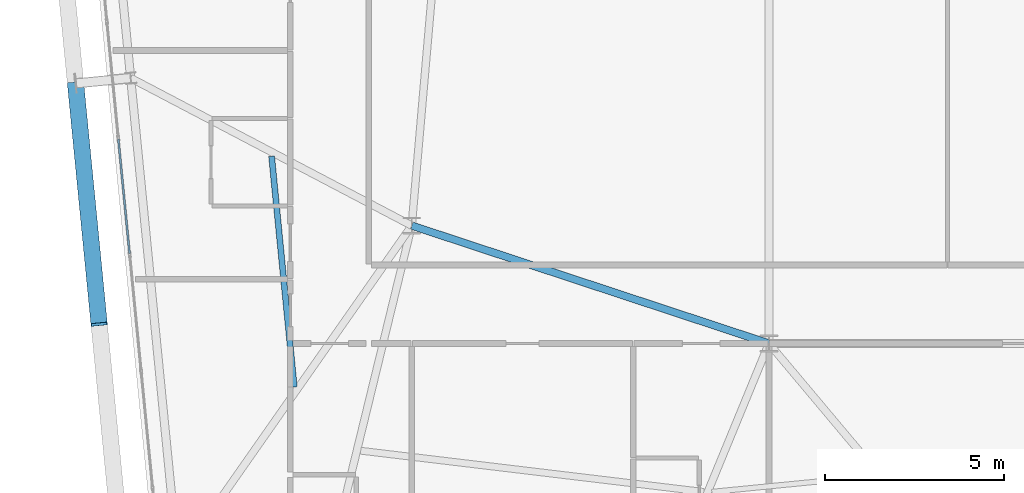
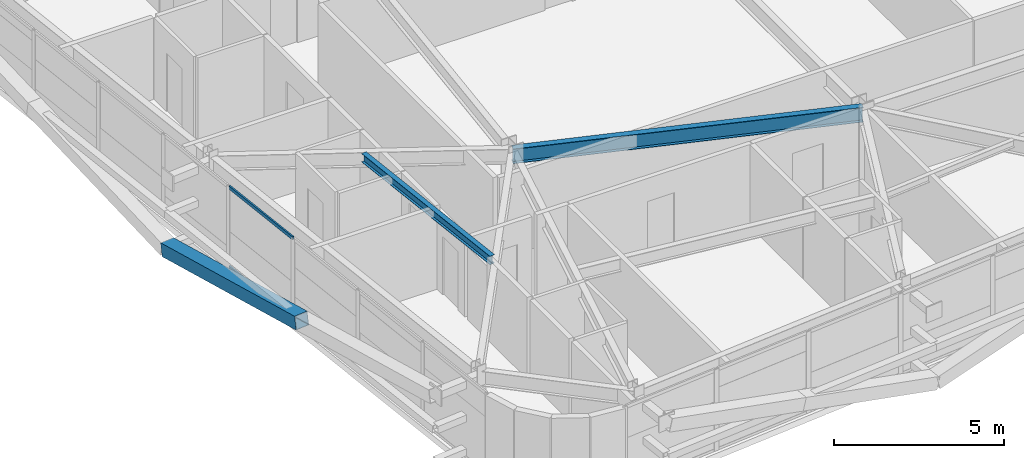
# One storey, part 9 of 53: 3 members, 2 beams, 1 element without a shape of its own.
"""IFC4 building model written with IfcOpenShell, lengths in metres."""

import ifcopenshell
import ifcopenshell.guid

model = None  # the IFC model being written
_history = None  # IfcOwnerHistory: only IFC2X3 demands one
_inside = {}  # id of a spatial element -> (the spatial element, [elements in it])
_under = {}  # id of a project, library or spatial element -> (it, [spatial elements below it])
_declared = {}  # id of a project -> (the project, [libraries it declares])
_typed = {}  # id of a type object -> (the type object, [elements of that type])
_made_of = {}  # id of a material, layer set ... -> (it, [elements and type objects made of it])


def new_model(schema):
    """Start an empty IFC model of exactly this schema.

    Asked for "IFC4X3", IfcOpenShell would pick the latest addendum, in which some entities
    have other attributes; the version numbers below select the first issue.
    IFC2X3 requires an IfcOwnerHistory on every rooted entity: one is made here for all.
    """
    global model, _history
    if schema == "IFC4X3":
        model = ifcopenshell.file(schema_version=(4, 3, 0, 0))
    else:
        model = ifcopenshell.file(schema=schema)
    _inside.clear()
    _under.clear()
    _declared.clear()
    _typed.clear()
    _made_of.clear()
    _history = None
    if model.schema == "IFC2X3":
        org = make("IfcOrganization", Name="unknown")
        user = make(
            "IfcPersonAndOrganization",
            ThePerson=make("IfcPerson", FamilyName="unknown"),
            TheOrganization=org,
        )
        app = make(
            "IfcApplication",
            ApplicationDeveloper=org,
            Version="unknown",
            ApplicationFullName="unknown",
            ApplicationIdentifier="unknown",
        )
        _history = make(
            "IfcOwnerHistory",
            OwningUser=user,
            OwningApplication=app,
            ChangeAction="ADDED",
            CreationDate=0,
        )
    return model


def make(cls, **values):
    """One entity of the class cls with the attributes given. An attribute that is None is left unset."""
    return model.create_entity(
        cls, **{name: value for name, value in values.items() if value is not None}
    )


def rooted(cls, **values):
    """An entity with a GlobalId (a new one), such as an element, a storey or a relation."""
    return make(cls, GlobalId=ifcopenshell.guid.new(), OwnerHistory=_history, **values)


def si_unit(unit_type, name, prefix=None):
    """IfcSIUnit, for example si_unit("LENGTHUNIT", "METRE", prefix="MILLI")."""
    return make("IfcSIUnit", UnitType=unit_type, Prefix=prefix, Name=name)


def assignment(units):
    """IfcUnitAssignment: the units of a project."""
    return None if units is None else make("IfcUnitAssignment", Units=units)


def point(xyz):
    """IfcCartesianPoint."""
    return None if xyz is None else make("IfcCartesianPoint", Coordinates=xyz)


def direction(xyz):
    """IfcDirection."""
    return None if xyz is None else make("IfcDirection", DirectionRatios=xyz)


def frame(location, z_axis=None, x_axis=None):
    """IfcAxis2Placement3D, a coordinate frame: its origin and axes. An axis left out is left unset."""
    return make(
        "IfcAxis2Placement3D",
        Location=point(location),
        Axis=direction(z_axis),
        RefDirection=direction(x_axis),
    )


def frame_2d(location, x_axis=None):
    """IfcAxis2Placement2D, a coordinate frame in the plane: its origin and x axis."""
    return make(
        "IfcAxis2Placement2D", Location=point(location), RefDirection=direction(x_axis)
    )


def origin():
    """The frame at (0, 0, 0) with its axes left unset."""
    return frame((0.0, 0.0, 0.0))


def origin_2d():
    """The frame at (0, 0) in the plane with its x axis left unset."""
    return frame_2d((0.0, 0.0))


def place(relative_to, where):
    """IfcLocalPlacement: puts the frame where relative to a parent placement (None: the world)."""
    return make(
        "IfcLocalPlacement", PlacementRelTo=relative_to, RelativePlacement=where
    )


def context(
    kind, dimensions, precision=None, world=None, true_north=None, identifier=None
):
    """IfcGeometricRepresentationContext, for example the 3D "Model" context."""
    return make(
        "IfcGeometricRepresentationContext",
        ContextIdentifier=identifier,
        ContextType=kind,
        CoordinateSpaceDimension=dimensions,
        Precision=precision,
        WorldCoordinateSystem=world,
        TrueNorth=true_north,
    )


def subcontext(parent, identifier, kind, view, scale=None):
    """IfcGeometricRepresentationSubContext, for example "Body" below "Model"."""
    return make(
        "IfcGeometricRepresentationSubContext",
        ContextIdentifier=identifier,
        ContextType=kind,
        ParentContext=parent,
        TargetScale=scale,
        TargetView=view,
    )


def project(units=None, contexts=None):
    """IfcProject with its units and contexts."""
    return rooted(
        "IfcProject",
        Name="project",
        RepresentationContexts=contexts,
        UnitsInContext=assignment(units),
    )


def spatial(cls, under=None, at=None, **own):
    """A site, building, storey or space (cls), placed at a placement, below another one or the project."""
    s = rooted(cls, ObjectPlacement=at, **own)
    if under is not None:
        _under.setdefault(under.id(), (under, []))[1].append(s)
    return s


def profile(cls, at=None, kind="AREA", **sizes):
    """A parametric profile (cls). Its sizes go by their IFC names, for example OverallWidth=200.0."""
    return make(cls, ProfileType=kind, Position=at, **sizes)


def hollow_rectangle(**sizes):
    """IfcRectangleHollowProfileDef."""
    return profile("IfcRectangleHollowProfileDef", **sizes)


def i_section(**sizes):
    """IfcIShapeProfileDef."""
    return profile("IfcIShapeProfileDef", **sizes)


def extrude(swept, where, along, depth):
    """IfcExtrudedAreaSolid: the profile swept, set in the frame where, extruded along a direction by depth."""
    return make(
        "IfcExtrudedAreaSolid",
        SweptArea=swept,
        Position=where,
        ExtrudedDirection=direction(along),
        Depth=depth,
    )


def shape(context_of_items, identifier, shape_type, items):
    """IfcShapeRepresentation: the items that make up one representation, for example the "Body"."""
    return make(
        "IfcShapeRepresentation",
        ContextOfItems=context_of_items,
        RepresentationIdentifier=identifier,
        RepresentationType=shape_type,
        Items=items,
    )


def source(mapping_origin, context_of_items, identifier, shape_type, items):
    """IfcRepresentationMap: a shape defined once, which mapped items show again and again."""
    return make(
        "IfcRepresentationMap",
        MappingOrigin=mapping_origin,
        MappedRepresentation=shape(context_of_items, identifier, shape_type, items),
    )


def transform(
    local_origin,
    x_axis=None,
    y_axis=None,
    z_axis=None,
    scale=None,
    scale2=None,
    scale3=None,
    uniform=True,
):
    """IfcCartesianTransformationOperator3D, or its non-uniform kind. x_axis, y_axis, z_axis: its Axis1, 2, 3."""
    if uniform:
        return make(
            "IfcCartesianTransformationOperator3D",
            Axis1=direction(x_axis),
            Axis2=direction(y_axis),
            LocalOrigin=point(local_origin),
            Scale=scale,
            Axis3=direction(z_axis),
        )
    return make(
        "IfcCartesianTransformationOperator3DnonUniform",
        Axis1=direction(x_axis),
        Axis2=direction(y_axis),
        LocalOrigin=point(local_origin),
        Scale=scale,
        Axis3=direction(z_axis),
        Scale2=scale2,
        Scale3=scale3,
    )


def mapped(mapping_source, mapping_target):
    """IfcMappedItem: shows the shape of a source again, moved by a transform."""
    return make(
        "IfcMappedItem", MappingSource=mapping_source, MappingTarget=mapping_target
    )


def material(Name=None, Category=None):
    """IfcMaterial."""
    return make("IfcMaterial", Name=Name, Category=Category)


def layer(
    of_material, thickness, ventilated=None, Name=None, Category=None, Priority=None
):
    """IfcMaterialLayer: one layer of a wall or slab, of a material (None: an air gap)."""
    return make(
        "IfcMaterialLayer",
        Material=of_material,
        LayerThickness=thickness,
        IsVentilated=ventilated,
        Name=Name,
        Category=Category,
        Priority=Priority,
    )


def layer_set(layers, Name=None):
    """IfcMaterialLayerSet."""
    return make("IfcMaterialLayerSet", MaterialLayers=layers, LayerSetName=Name)


def material_profile(
    of_material, cross_section, Name=None, Category=None, Priority=None
):
    """IfcMaterialProfile: a cross section and its material."""
    return make(
        "IfcMaterialProfile",
        Name=Name,
        Material=of_material,
        Profile=cross_section,
        Priority=Priority,
        Category=Category,
    )


def profile_set(profiles, Name=None, composite=None):
    """IfcMaterialProfileSet."""
    return make(
        "IfcMaterialProfileSet",
        Name=Name,
        MaterialProfiles=profiles,
        CompositeProfile=composite,
    )


def made_of(thing, what):
    """Note that an element or type object is made of a material, layer set ...; save() writes the relation."""
    if what is not None:
        _made_of.setdefault(what.id(), (what, []))[1].append(thing)
    return thing


def type_object(cls, material=None, **own):
    """A type object (cls), such as IfcWallType, which elements share."""
    return made_of(rooted(cls, **own), material)


def element(
    cls,
    number,
    at=None,
    inside=None,
    cuts=None,
    type_object=None,
    material=None,
    context=None,
    identifier="Body",
    shape_type=None,
    held_by="IfcProductDefinitionShape",
    body=None,
    shapes=None,
    **own,
):
    """One element of the class cls, such as IfcWall. Its Tag is "e" and its number.

    at: its placement. inside: the storey or other place that contains it. cuts: it is an
    opening in that element (IfcRelVoidsElement). A single representation is given by context,
    identifier, shape_type and body (its items); several are given by shapes. held_by: the class
    of the entity that holds the representations. save() writes the other relations.
    """
    e = rooted(cls, Tag="e%d" % number, ObjectPlacement=at, **own)
    if body is not None:
        shapes = [shape(context, identifier, shape_type, body)]
    if shapes is not None:
        e.Representation = make(held_by, Representations=shapes)
    if inside is not None:
        _inside.setdefault(inside.id(), (inside, []))[1].append(e)
    if cuts is not None:
        rooted(
            "IfcRelVoidsElement", RelatingBuildingElement=cuts, RelatedOpeningElement=e
        )
    if type_object is not None:
        _typed.setdefault(type_object.id(), (type_object, []))[1].append(e)
    return made_of(e, material)


def aggregate(whole, parts):
    """IfcRelAggregates: a whole, such as a stair, and the parts it consists of."""
    return rooted("IfcRelAggregates", RelatingObject=whole, RelatedObjects=parts)


def save(model, path):
    """Write the relations noted so far, then the file.

    IfcRelAggregates (storeys below a building ...), IfcRelContainedInSpatialStructure (elements
    in a storey), IfcRelDefinesByType, IfcRelAssociatesMaterial and IfcRelDeclares: one each for
    every whole, place, type object, material and project.
    """
    for whole, parts in _under.values():
        aggregate(whole, parts)
    for where, things in _inside.values():
        rooted(
            "IfcRelContainedInSpatialStructure",
            RelatedElements=things,
            RelatingStructure=where,
        )
    for kind, things in _typed.values():
        rooted("IfcRelDefinesByType", RelatedObjects=things, RelatingType=kind)
    for what, things in _made_of.values():
        rooted("IfcRelAssociatesMaterial", RelatedObjects=things, RelatingMaterial=what)
    for by, libraries in _declared.values():
        rooted("IfcRelDeclares", RelatingContext=by, RelatedDefinitions=libraries)
    model.write(path)


model = new_model("IFC4")

# Units and contexts
model_context = context("Model", 3, precision=1e-05, world=origin(), true_north=direction((0.0, 1.0)))
body_context = subcontext(model_context, "Body", "Model", "MODEL_VIEW")
ifc_project = project(units=[si_unit("LENGTHUNIT", "METRE"), si_unit("AREAUNIT", "SQUARE_METRE"), si_unit("VOLUMEUNIT", "CUBIC_METRE"), si_unit("PLANEANGLEUNIT", "RADIAN"), si_unit("MASSUNIT", "GRAM", prefix="KILO")], contexts=[model_context])

# Site, building, storey
site_placement = place(None, origin())
site = spatial("IfcSite", under=ifc_project, at=site_placement, CompositionType="ELEMENT")
building_placement = place(site_placement, origin())
building = spatial("IfcBuilding", under=site, at=building_placement, Name="Taldren Reach Tower", CompositionType="ELEMENT")
storey_placement = place(building_placement, frame((0.0, 0.0, 84.0)))
storey = spatial("IfcBuildingStorey", under=building, at=storey_placement, Name="L25", CompositionType="ELEMENT", Elevation=84.0)

# Beams
ifc_material_1 = material(Name="Steel Gr 350 (350PLUS)", Category="steel")
ifc_material_profile_1 = material_profile(ifc_material_1, i_section(OverallWidth=0.208984375, OverallDepth=0.532958984375, WebThickness=0.01025390625, FlangeThickness=0.015625, at=origin_2d()), Name="530UB92.4")
ifc_profile_set_1 = profile_set([ifc_material_profile_1], Name="Steel Gr 350 (350PLUS)")
beam_type_1 = type_object("IfcBeamType", Name="BM-UB530A", PredefinedType="BEAM", material=ifc_profile_set_1)
shared_shape_1 = source(origin(), body_context, "Body", "SweptSolid", [
    extrude(i_section(OverallWidth=0.208984375, OverallDepth=0.532958984375, WebThickness=0.01025390625, FlangeThickness=0.015625, at=origin_2d()), origin(), (0.0, 0.0, 1.0), 10.530517578125),
])
beam_1_placement = place(storey_placement, frame((18.0, 12.5, 2.66357421875), z_axis=(0.949627269203, -0.313381635689, 0.0), x_axis=(0.313381635689, 0.949627269203, 0.0)))
element("IfcBeam", 1, at=beam_1_placement, inside=storey, type_object=beam_type_1, Name="Core-spine girder L25-SP10", PredefinedType="BEAM", context=body_context, shape_type="MappedRepresentation", body=[
    mapped(shared_shape_1, transform((0.0, 0.0, 0.0), scale=1.0)),
])
ifc_material_2 = material(Name="Steel Gr 300 (300PLUS, 300 MPa)", Category="steel")
ifc_material_profile_2 = material_profile(ifc_material_2, i_section(OverallWidth=0.166015625, OverallDepth=0.306884765625, WebThickness=0.006591796875, FlangeThickness=0.01171875, at=origin_2d()), Name="310UB46.2")
ifc_profile_set_2 = profile_set([ifc_material_profile_2], Name="Steel Gr 300 (300PLUS, 300 MPa)")
beam_type_2 = type_object("IfcBeamType", Name="JS-UB310", PredefinedType="JOIST", material=ifc_profile_set_2)
shared_shape_2 = source(origin(), body_context, "Body", "SweptSolid", [
    extrude(i_section(OverallWidth=0.166015625, OverallDepth=0.306884765625, WebThickness=0.006591796875, FlangeThickness=0.01171875, at=origin_2d()), origin(), (0.0, 0.0, 1.0), 6.489501953125),
])
beam_2_placement = place(storey_placement, frame((14.710693359375, 7.982666015625, 2.776611328125), z_axis=(-0.097588959486, 0.995226805802, 0.0), x_axis=(-0.995226805802, -0.097588959486, 0.0)))
element("IfcBeam", 2, at=beam_2_placement, inside=storey, type_object=beam_type_2, Name="Secondary floor joist B2 J6 L25", PredefinedType="JOIST", context=body_context, shape_type="MappedRepresentation", body=[
    mapped(shared_shape_2, transform((0.0, 0.0, 0.0), scale=1.0)),
])

# Member
ifc_material_3 = material(Name="Steel Gr 450 (C450L0)", Category="steel")
ifc_material_profile_3 = material_profile(ifc_material_3, hollow_rectangle(XDim=0.4599609375, YDim=0.4599609375, WallThickness=0.01611328125, at=origin_2d()), Name="460x460x16.0SHS")
ifc_profile_set_3 = profile_set([ifc_material_profile_3], Name="Steel Gr 450 (C450L0)")
member_type_1 = type_object("IfcMemberType", Name="MB-EXO457", PredefinedType="BRACE", material=ifc_profile_set_3)
shared_shape_3 = source(origin(), body_context, "Body", "SweptSolid", [
    extrude(hollow_rectangle(XDim=0.4599609375, YDim=0.4599609375, WallThickness=0.01611328125, at=origin_2d()), origin(), (0.0, 0.0, 1.0), 6.8828125),
])
member_1_placement = place(storey_placement, frame((8.587890625, 16.479736328125, 0.219970703125), z_axis=(0.096054795712, -0.979595750804, 0.17653793141), x_axis=(0.995226946838, 0.097587521166, 0.0)))
element("IfcMember", 3, at=member_1_placement, inside=storey, type_object=member_type_1, Name="Exoskeleton Diagrid Brace B2-W1 L25", PredefinedType="BRACE", context=body_context, shape_type="MappedRepresentation", body=[
    mapped(shared_shape_3, transform((0.0, 0.0, 0.0), scale=1.0)),
])

# Curtain wall, members
ifc_material_4 = material(Name="Aluminium and Low-E Glass Unitised System", Category="aluminium")
ifc_layer = layer(ifc_material_4, 0.159912109375)
ifc_layer_set = layer_set([ifc_layer], Name="Aluminium and Low-E Glass Unitised System")
curtain_wall_type = type_object("IfcCurtainWallType", Name="CW-SYS-3", PredefinedType="NOTDEFINED", material=ifc_layer_set)
curtain_wall_placement = place(storey_placement, origin())
curtain_wall = element("IfcCurtainWall", 4, at=curtain_wall_placement, inside=storey, type_object=curtain_wall_type, Name="Unitised curtain wall CW-L25-W", PredefinedType="NOTDEFINED")
ifc_material_5 = material(Name="Anodised Aluminium 6063-T6", Category="aluminium")
ifc_material_profile_4 = material_profile(ifc_material_5, hollow_rectangle(XDim=0.054931640625, YDim=0.1201171875, WallThickness=0.0029296875, at=origin_2d()), Name="ALU-120x55x3RHS")
ifc_profile_set_4 = profile_set([ifc_material_profile_4], Name="Anodised Aluminium 6063-T6")
member_type_2 = type_object("IfcMemberType", Name="CW-TRN-135", PredefinedType="USERDEFINED", material=ifc_profile_set_4)
shared_shape_4 = source(origin(), body_context, "Body", "SweptSolid", [
    extrude(hollow_rectangle(XDim=0.054931640625, YDim=0.1201171875, WallThickness=0.0029296875, at=origin_2d()), origin(), (0.0, 0.0, 1.0), 3.212890625),
])
member_2_placement = place(storey_placement, frame((9.7861328125, 14.91796875, 0.027587890625), z_axis=(0.097569948235, -0.995228669805, 0.0), x_axis=(0.995228669805, 0.097569948235, 0.0)))
member_2 = element("IfcMember", 5, at=member_2_placement, type_object=member_type_2, Name="CW-3 transom 6.1", ObjectType="TRANSOM", PredefinedType="USERDEFINED", context=body_context, shape_type="MappedRepresentation", body=[
    mapped(shared_shape_4, transform((0.0, 0.0, 0.0), scale=1.0)),
])
member_3_placement = place(storey_placement, frame((9.7861328125, 14.91796875, 2.902587890625), z_axis=(0.097569948235, -0.995228669805, 0.0), x_axis=(0.995228669805, 0.097569948235, 0.0)))
member_3 = element("IfcMember", 6, at=member_3_placement, type_object=member_type_2, Name="CW-3 transom 6.2", ObjectType="TRANSOM", PredefinedType="USERDEFINED", context=body_context, shape_type="MappedRepresentation", body=[
    mapped(shared_shape_4, transform((0.0, 0.0, 0.0), scale=1.0)),
])
aggregate(curtain_wall, [member_2, member_3])

save(model, "model.ifc")
